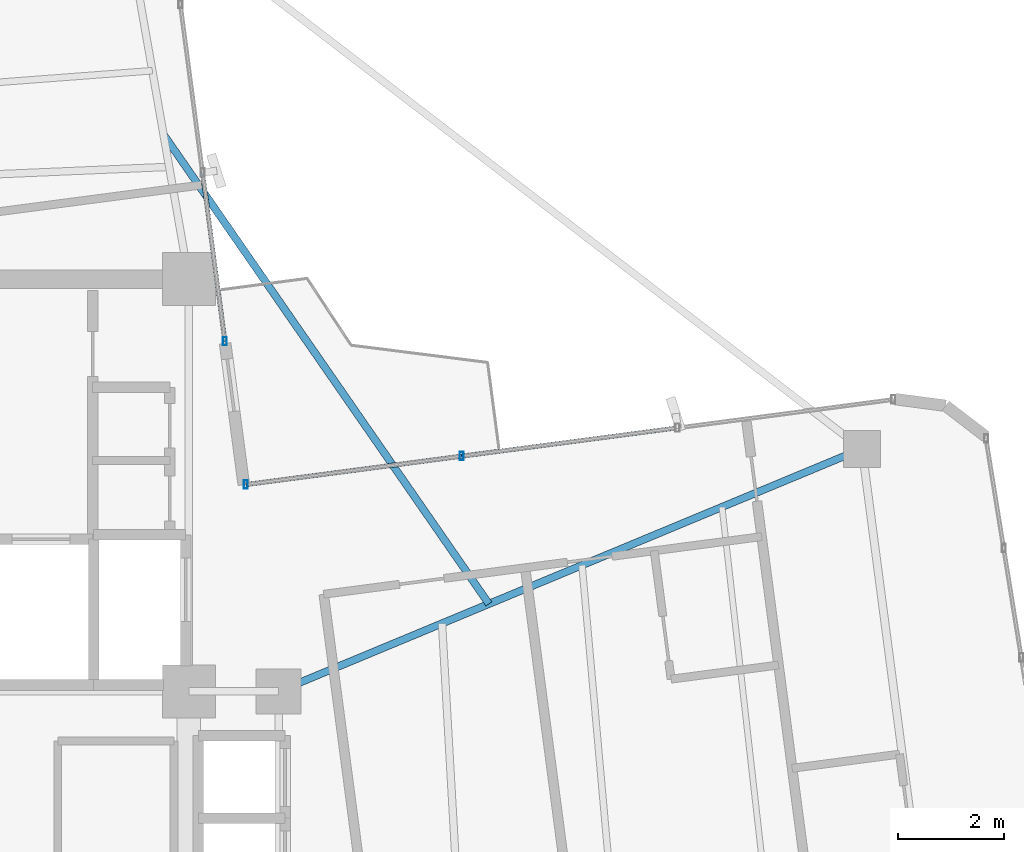
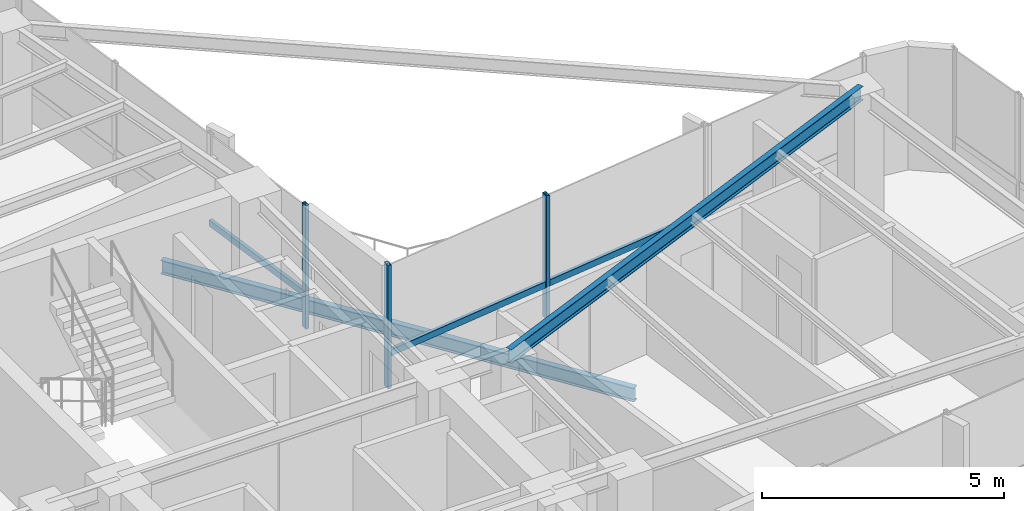
# One storey, part 11 of 22: 6 members, 2 beams, 2 elements without a shape of their own.
"""IFC4 building model written with IfcOpenShell, lengths in metres."""

from ifc_helpers import new_model, si_unit, direction, frame, origin, origin_2d, place, context, subcontext, project, spatial, hollow_rectangle, i_section, extrude, source, transform, mapped, material, material_profile, profile_set, type_object, element, aggregate, save


model = new_model("IFC4")

# Units and contexts
model_context = context("Model", 3, precision=1e-05, world=origin(), true_north=direction((0.0, 1.0)))
body_context = subcontext(model_context, "Body", "Model", "MODEL_VIEW")
ifc_project = project(units=[si_unit("LENGTHUNIT", "METRE"), si_unit("AREAUNIT", "SQUARE_METRE"), si_unit("VOLUMEUNIT", "CUBIC_METRE"), si_unit("PLANEANGLEUNIT", "RADIAN"), si_unit("MASSUNIT", "GRAM", prefix="KILO")], contexts=[model_context])

# Site, building, storey
site_placement = place(None, origin())
site = spatial("IfcSite", under=ifc_project, at=site_placement, CompositionType="ELEMENT")
building_placement = place(site_placement, origin())
building = spatial("IfcBuilding", under=site, at=building_placement, Name="Sahyath Konkavel Grand Hotel", CompositionType="ELEMENT")
storey_placement = place(building_placement, frame((0.0, 0.0, 241.14990234375)))
storey = spatial("IfcBuildingStorey", under=building, at=storey_placement, Name="L67", CompositionType="ELEMENT", Elevation=241.14990234375)

# Beam
ifc_material_1 = material(Name="Steel E350", Category="steel")
ifc_material_profile_1 = material_profile(ifc_material_1, i_section(OverallWidth=0.139892578125, OverallDepth=0.35009765625, WebThickness=0.008056640625, FlangeThickness=0.01416015625, FilletRadius=0.013916015625, at=origin_2d()), Name="ISMB 350")
ifc_profile_set_1 = profile_set([ifc_material_profile_1], Name="Steel E350")
beam_type_1 = type_object("IfcBeamType", Name="BM-ISMB350", PredefinedType="BEAM", material=ifc_profile_set_1)
shared_shape_1 = source(origin(), body_context, "Body", "SweptSolid", [
    extrude(i_section(OverallWidth=0.139892578125, OverallDepth=0.35009765625, WebThickness=0.008056640625, FlangeThickness=0.01416015625, FilletRadius=0.013916015625, at=origin_2d()), origin(), (0.0, 0.0, 1.0), 11.952392578125),
])
beam_1_placement = place(storey_placement, frame((5.5, 2.39990234375, 2.93505859375), z_axis=(0.923345018678, 0.383971322474, 0.0), x_axis=(-0.383971322474, 0.923345018678, 0.0)))
element("IfcBeam", 1, at=beam_1_placement, inside=storey, type_object=beam_type_1, Name="L67 Cruciform Radial Girder EB", PredefinedType="BEAM", context=body_context, shape_type="MappedRepresentation", body=[
    mapped(shared_shape_1, transform((0.0, 0.0, 0.0), scale=1.0)),
])

# Curtain wall, members
ifc_material_2 = material(Name="Anodised Bronze Aluminium & Low-E Glazing", Category="aluminium")
curtain_wall_type = type_object("IfcCurtainWallType", Name="CW-ZONE4", PredefinedType="NOTDEFINED", material=ifc_material_2)
curtain_wall_1_placement = place(storey_placement, origin())
curtain_wall_1 = element("IfcCurtainWall", 2, at=curtain_wall_1_placement, inside=storey, type_object=curtain_wall_type, Name="L67 Unitised Curtain Wall F7", PredefinedType="NOTDEFINED")
ifc_material_3 = material(Name="Anodised Bronze Aluminium", Category="aluminium")
ifc_material_profile_2 = material_profile(ifc_material_3, hollow_rectangle(XDim=0.080078125, YDim=0.159912109375, WallThickness=0.006103515625, at=origin_2d()), Name="RHS 160x80x6")
ifc_profile_set_2 = profile_set([ifc_material_profile_2], Name="Anodised Bronze Aluminium")
member_type_1 = type_object("IfcMemberType", Name="CW-MUL-160", PredefinedType="MULLION", material=ifc_profile_set_2)
shared_shape_2 = source(origin(), body_context, "Body", "SweptSolid", [
    extrude(hollow_rectangle(XDim=0.080078125, YDim=0.159912109375, WallThickness=0.006103515625, at=origin_2d()), origin(), (0.0, 0.0, 1.0), 3.110107421875),
])
member_1_placement = place(storey_placement, frame((8.96240234375, 6.849365234375, 0.0), z_axis=(0.0, 0.0, 1.0), x_axis=(1.0, 0.0, 0.0)))
member_1 = element("IfcMember", 3, at=member_1_placement, type_object=member_type_1, Name="L67 Curtain Wall Mullion F7-2", PredefinedType="MULLION", context=body_context, shape_type="MappedRepresentation", body=[
    mapped(shared_shape_2, transform((0.0, 0.0, 0.0), scale=1.0)),
])
member_2_placement = place(storey_placement, frame((4.87890625, 6.311767578125, 0.0), z_axis=(0.0, 0.0, 1.0), x_axis=(1.0, 0.0, 0.0)))
member_2 = element("IfcMember", 4, at=member_2_placement, type_object=member_type_1, Name="L67 Curtain Wall Mullion F7-3", PredefinedType="MULLION", context=body_context, shape_type="MappedRepresentation", body=[
    mapped(shared_shape_2, transform((0.0, 0.0, 0.0), scale=1.0)),
])

curtain_wall_2_placement = place(storey_placement, origin())
curtain_wall_2 = element("IfcCurtainWall", 5, at=curtain_wall_2_placement, inside=storey, type_object=curtain_wall_type, Name="L67 Unitised Curtain Wall F8", PredefinedType="NOTDEFINED")
member_3_placement = place(storey_placement, frame((4.481689453125, 9.023193359375, 0.0), z_axis=(0.0, 0.0, 1.0), x_axis=(1.0, 0.0, 0.0)))
member_3 = element("IfcMember", 6, at=member_3_placement, type_object=member_type_1, Name="L67 Curtain Wall Mullion F8-0", PredefinedType="MULLION", context=body_context, shape_type="MappedRepresentation", body=[
    mapped(shared_shape_2, transform((0.0, 0.0, 0.0), scale=1.0)),
])
ifc_material_profile_3 = material_profile(ifc_material_3, hollow_rectangle(XDim=0.080078125, YDim=0.159912109375, WallThickness=0.006103515625, at=origin_2d()), Name="RHS 160x80x6")
ifc_profile_set_3 = profile_set([ifc_material_profile_3], Name="Anodised Bronze Aluminium")
member_type_2 = type_object("IfcMemberType", Name="CW-TRN-160", PredefinedType="USERDEFINED", material=ifc_profile_set_3)
shared_shape_3 = source(origin(), body_context, "Body", "SweptSolid", [
    extrude(hollow_rectangle(XDim=0.080078125, YDim=0.159912109375, WallThickness=0.006103515625, at=origin_2d()), origin(), (0.0, 0.0, 1.0), 3.21875),
])
member_4_placement = place(storey_placement, frame((4.481689453125, 9.023193359375, 0.85009765625), z_axis=(-0.130538882337, 0.991443190606, 0.0), x_axis=(-0.991443190606, -0.130538882337, 0.0)))
member_4 = element("IfcMember", 7, at=member_4_placement, type_object=member_type_2, Name="L67 Curtain Wall Transom F8-0-spandrel", ObjectType="TRANSOM", PredefinedType="USERDEFINED", context=body_context, shape_type="MappedRepresentation", body=[
    mapped(shared_shape_3, transform((0.0, 0.0, 0.0), scale=1.0)),
])
aggregate(curtain_wall_2, [member_3, member_4])

# Member
shared_shape_4 = source(origin(), body_context, "Body", "SweptSolid", [
    extrude(hollow_rectangle(XDim=0.080078125, YDim=0.159912109375, WallThickness=0.006103515625, at=origin_2d()), origin(), (0.0, 0.0, 1.0), 4.11865234375),
])
member_5_placement = place(storey_placement, frame((8.96240234375, 6.849365234375, 0.85009765625), z_axis=(-0.991445012294, -0.130525045861, 0.0), x_axis=(0.130525045861, -0.991445012294, 0.0)))
member_5 = element("IfcMember", 8, at=member_5_placement, type_object=member_type_2, Name="L67 Curtain Wall Transom F7-2-spandrel", ObjectType="TRANSOM", PredefinedType="USERDEFINED", context=body_context, shape_type="MappedRepresentation", body=[
    mapped(shared_shape_4, transform((0.0, 0.0, 0.0), scale=1.0)),
])

shared_shape_5 = source(origin(), body_context, "Body", "SweptSolid", [
    extrude(hollow_rectangle(XDim=0.080078125, YDim=0.159912109375, WallThickness=0.006103515625, at=origin_2d()), origin(), (0.0, 0.0, 1.0), 4.118408203125),
])
member_6_placement = place(storey_placement, frame((13.045654296875, 7.386962890625, 0.85009765625), z_axis=(-0.991444002338, -0.130532717079, 0.0), x_axis=(0.130532717079, -0.991444002338, 0.0)))
member_6 = element("IfcMember", 9, at=member_6_placement, type_object=member_type_2, Name="L67 Curtain Wall Transom F7-1-spandrel", ObjectType="TRANSOM", PredefinedType="USERDEFINED", context=body_context, shape_type="MappedRepresentation", body=[
    mapped(shared_shape_5, transform((0.0, 0.0, 0.0), scale=1.0)),
])

aggregate(curtain_wall_1, [member_1, member_2, member_6, member_5])

# Beam
ifc_material_profile_4 = material_profile(ifc_material_1, i_section(OverallWidth=0.139892578125, OverallDepth=0.35009765625, WebThickness=0.008056640625, FlangeThickness=0.01416015625, FilletRadius=0.013916015625, at=origin_2d()), Name="ISMB 350")
ifc_profile_set_4 = profile_set([ifc_material_profile_4], Name="Steel E350")
beam_type_2 = type_object("IfcBeamType", Name="BM-BALC-CANT", PredefinedType="BEAM", material=ifc_profile_set_4)
shared_shape_6 = source(origin(), body_context, "Body", "SweptSolid", [
    extrude(i_section(OverallWidth=0.139892578125, OverallDepth=0.35009765625, WebThickness=0.008056640625, FlangeThickness=0.01416015625, FilletRadius=0.013916015625, at=origin_2d()), origin(), (0.0, 0.0, 1.0), 10.804443359375),
])
beam_2_placement = place(storey_placement, frame((9.4775390625, 4.05419921875, -0.414794921875), z_axis=(-0.569674015078, 0.821870741994, 0.0), x_axis=(-0.821870741994, -0.569674015078, 0.0)))
element("IfcBeam", 10, at=beam_2_placement, inside=storey, type_object=beam_type_2, Name="L67 Balcony Cantilever Support Beam NE", PredefinedType="BEAM", context=body_context, shape_type="MappedRepresentation", body=[
    mapped(shared_shape_6, transform((0.0, 0.0, 0.0), scale=1.0)),
])

save(model, "model.ifc")
